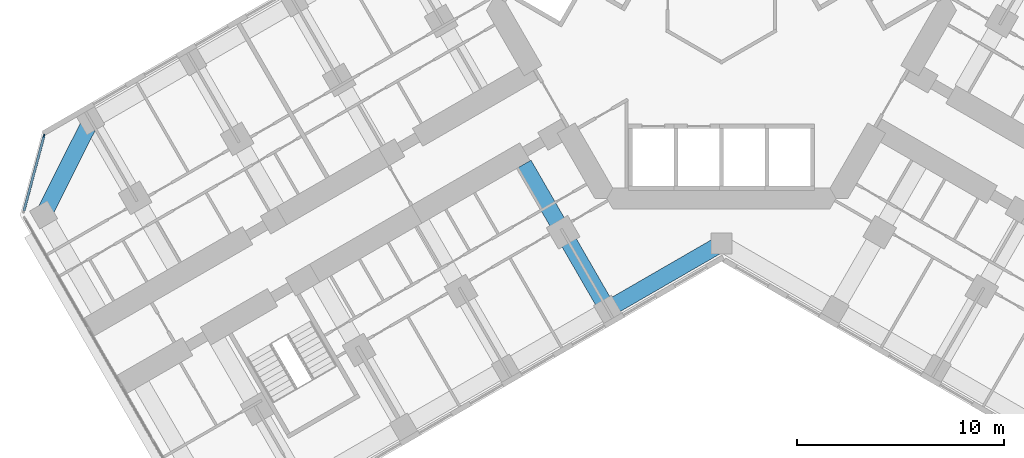
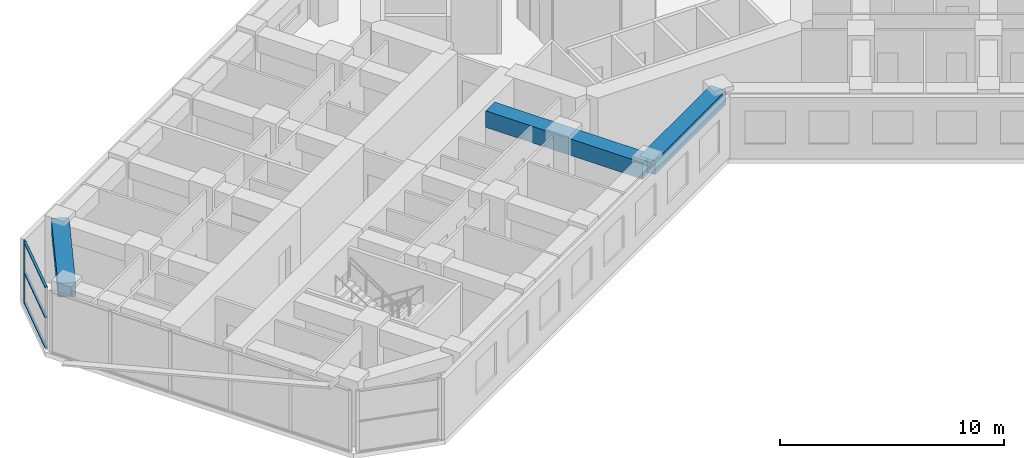
# One storey, part 3 of 21: 4 members, 3 beams, 1 element without a shape of its own.
"""IFC4 building model written with IfcOpenShell, lengths in metres."""

from ifc_helpers import new_model, si_unit, direction, frame, origin, origin_2d, place, context, subcontext, project, spatial, rectangle, extrude, material, material_profile, profile_set, type_object, element, aggregate, save


model = new_model("IFC4")

# Units and contexts
model_context = context("Model", 3, precision=1e-05, world=origin(), true_north=direction((0.0, 1.0)))
body_context = subcontext(model_context, "Body", "Model", "MODEL_VIEW")
ifc_project = project(units=[si_unit("LENGTHUNIT", "METRE"), si_unit("AREAUNIT", "SQUARE_METRE"), si_unit("VOLUMEUNIT", "CUBIC_METRE"), si_unit("PLANEANGLEUNIT", "RADIAN"), si_unit("MASSUNIT", "GRAM", prefix="KILO")], contexts=[model_context])

# Site, building, storey
site_placement = place(None, origin())
site = spatial("IfcSite", under=ifc_project, at=site_placement, CompositionType="ELEMENT")
building_placement = place(site_placement, origin())
building = spatial("IfcBuilding", under=site, at=building_placement, Name="Kosmar Iwan School Tower", CompositionType="ELEMENT")
storey_placement = place(building_placement, frame((0.0, 0.0, 61.0)))
storey = spatial("IfcBuildingStorey", under=building, at=storey_placement, Name="L14", CompositionType="ELEMENT", Elevation=61.0)

# Curtain wall, member
ifc_material_1 = material(Name="Dark glass in black aluminium frame", Category="aluminium")
curtain_wall_type = type_object("IfcCurtainWallType", Name="Chamfer curtain wall dark glass", PredefinedType="USERDEFINED", material=ifc_material_1)
curtain_wall_placement = place(storey_placement, origin())
curtain_wall = element("IfcCurtainWall", 1, at=curtain_wall_placement, inside=storey, type_object=curtain_wall_type, Name="Curtain wall L14-F12", ObjectType="FACETED CURTAIN WALL", PredefinedType="USERDEFINED")
ifc_material_2 = material(Name="Black anodised aluminium", Category="aluminium")
ifc_material_profile_1 = material_profile(ifc_material_2, rectangle(XDim=0.06005859375, YDim=0.159912109375, at=origin_2d()), Name="MULLION 60x160")
ifc_profile_set_1 = profile_set([ifc_material_profile_1], Name="Black anodised aluminium")
member_type_1 = type_object("IfcMemberType", Name="Mullion 60x160", PredefinedType="MULLION", material=ifc_profile_set_1)
member_1_placement = place(storey_placement, frame((-32.78076171875, -6.5732421875, 0.0), z_axis=(0.0, 0.0, 1.0), x_axis=(0.965925875495, -0.258818861462, 0.0)))
member_1 = element("IfcMember", 2, at=member_1_placement, type_object=member_type_1, Name="CW2 mullion 1", PredefinedType="MULLION", context=body_context, shape_type="SweptSolid", body=[
    extrude(rectangle(XDim=0.06005859375, YDim=0.159912109375, at=origin_2d()), origin(), (0.0, 0.0, 1.0), 3.35009765625),
])

# Beams
ifc_material_3 = material(Name="Concrete C50/60", Category="concrete")
ifc_material_profile_2 = material_profile(ifc_material_3, rectangle(XDim=0.800048828125, YDim=0.75, at=origin_2d()), Name="RC 800x750")
ifc_profile_set_2 = profile_set([ifc_material_profile_2], Name="Concrete C50/60")
beam_type_1 = type_object("IfcBeamType", Name="RC edge beam 800x750", PredefinedType="BEAM", material=ifc_profile_set_2)
beam_1_placement = place(storey_placement, frame((0.0, -11.77783203125, 2.97509765625), z_axis=(-0.866014293216, -0.500019243575, 0.0), x_axis=(0.500019243575, -0.866014293216, 0.0)))
element("IfcBeam", 3, at=beam_1_placement, inside=storey, type_object=beam_type_1, Name="Edge beam BL1", PredefinedType="BEAM", context=body_context, shape_type="SweptSolid", body=[
    extrude(rectangle(XDim=0.800048828125, YDim=0.75, at=origin_2d()), origin(), (0.0, 0.0, 1.0), 6.361083984375),
])
ifc_material_4 = material(Name="Concrete C50/60", Category="concrete")
ifc_material_profile_3 = material_profile(ifc_material_4, rectangle(XDim=0.800048828125, YDim=0.75, at=origin_2d()), Name="RC 800x750")
ifc_profile_set_3 = profile_set([ifc_material_profile_3], Name="Concrete C50/60")
beam_type_2 = type_object("IfcBeamType", Name="RC tip beam 800x750", PredefinedType="BEAM", material=ifc_profile_set_3)
beam_2_placement = place(storey_placement, frame((-30.517822265625, -5.841552734375, 2.97509765625), z_axis=(-0.44809604203, -0.893985423325, 0.0), x_axis=(0.893985423325, -0.44809604203, 0.0)))
element("IfcBeam", 4, at=beam_2_placement, inside=storey, type_object=beam_type_2, Name="Tip beam BR", PredefinedType="BEAM", context=body_context, shape_type="SweptSolid", body=[
    extrude(rectangle(XDim=0.800048828125, YDim=0.75, at=origin_2d()), origin(), (0.0, 0.0, 1.0), 5.08935546875),
])
ifc_material_5 = material(Name="Concrete C50/60", Category="concrete")
ifc_material_profile_4 = material_profile(ifc_material_5, rectangle(XDim=0.800048828125, YDim=0.89990234375, at=origin_2d()), Name="RC 800x900")
ifc_profile_set_4 = profile_set([ifc_material_profile_4], Name="Concrete C50/60")
beam_type_3 = type_object("IfcBeamType", Name="RC transverse beam 800x900", PredefinedType="BEAM", material=ifc_profile_set_4)
beam_3_placement = place(storey_placement, frame((-5.5087890625, -14.95849609375, 2.89990234375), z_axis=(-0.499999880539, 0.866025472755, 0.0), x_axis=(-0.866025472755, -0.499999880539, 0.0)))
element("IfcBeam", 5, at=beam_3_placement, inside=storey, type_object=beam_type_3, Name="Transverse beam BL1", PredefinedType="BEAM", context=body_context, shape_type="SweptSolid", body=[
    extrude(rectangle(XDim=0.800048828125, YDim=0.89990234375, at=origin_2d()), origin(), (0.0, 0.0, 1.0), 8.10009765625),
])

# Member
ifc_material_6 = material(Name="Black anodised aluminium", Category="aluminium")
ifc_material_profile_5 = material_profile(ifc_material_6, rectangle(XDim=0.1201171875, YDim=0.06005859375, at=origin_2d()), Name="TRANSOM 60x120")
ifc_profile_set_5 = profile_set([ifc_material_profile_5], Name="Black anodised aluminium")
member_type_2 = type_object("IfcMemberType", Name="Transom 60x120", PredefinedType="USERDEFINED", material=ifc_profile_set_5)
member_2_placement = place(storey_placement, frame((-32.788330078125, -6.602294921875, 0.030029296875), z_axis=(-0.258843273983, -0.965919333854, 0.0), x_axis=(0.965919333854, -0.258843273983, 0.0)))
member_2 = element("IfcMember", 6, at=member_2_placement, type_object=member_type_2, Name="CW2 transom 1.1", ObjectType="TRANSOM", PredefinedType="USERDEFINED", context=body_context, shape_type="SweptSolid", body=[
    extrude(rectangle(XDim=0.1201171875, YDim=0.06005859375, at=origin_2d()), origin(), (0.0, 0.0, 1.0), 3.718994140625),
])

member_3_placement = place(storey_placement, frame((-32.788330078125, -6.602294921875, 1.675048828125), z_axis=(-0.258843273983, -0.965919333854, 0.0), x_axis=(0.965919333854, -0.258843273983, 0.0)))
member_3 = element("IfcMember", 7, at=member_3_placement, type_object=member_type_2, Name="CW2 transom 1.2", ObjectType="TRANSOM", PredefinedType="USERDEFINED", context=body_context, shape_type="SweptSolid", body=[
    extrude(rectangle(XDim=0.1201171875, YDim=0.06005859375, at=origin_2d()), origin(), (0.0, 0.0, 1.0), 3.718994140625),
])

member_4_placement = place(storey_placement, frame((-32.788330078125, -6.602294921875, 3.320068359375), z_axis=(-0.258843273983, -0.965919333854, 0.0), x_axis=(0.965919333854, -0.258843273983, 0.0)))
member_4 = element("IfcMember", 8, at=member_4_placement, type_object=member_type_2, Name="CW2 transom 1.3", ObjectType="TRANSOM", PredefinedType="USERDEFINED", context=body_context, shape_type="SweptSolid", body=[
    extrude(rectangle(XDim=0.1201171875, YDim=0.06005859375, at=origin_2d()), origin(), (0.0, 0.0, 1.0), 3.718994140625),
])

aggregate(curtain_wall, [member_1, member_2, member_3, member_4])

save(model, "model.ifc")
